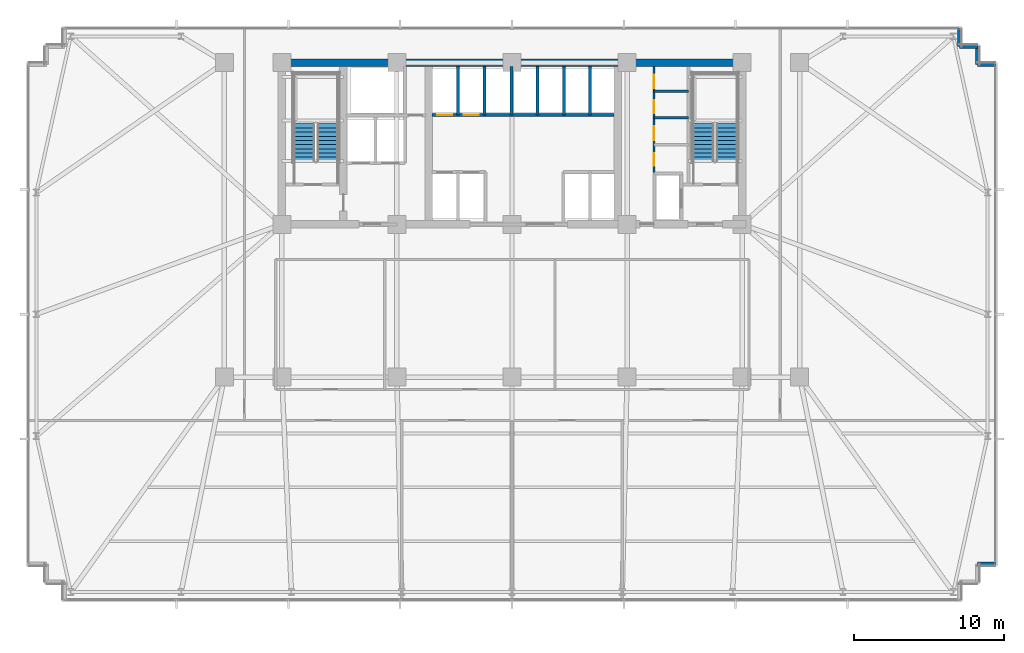
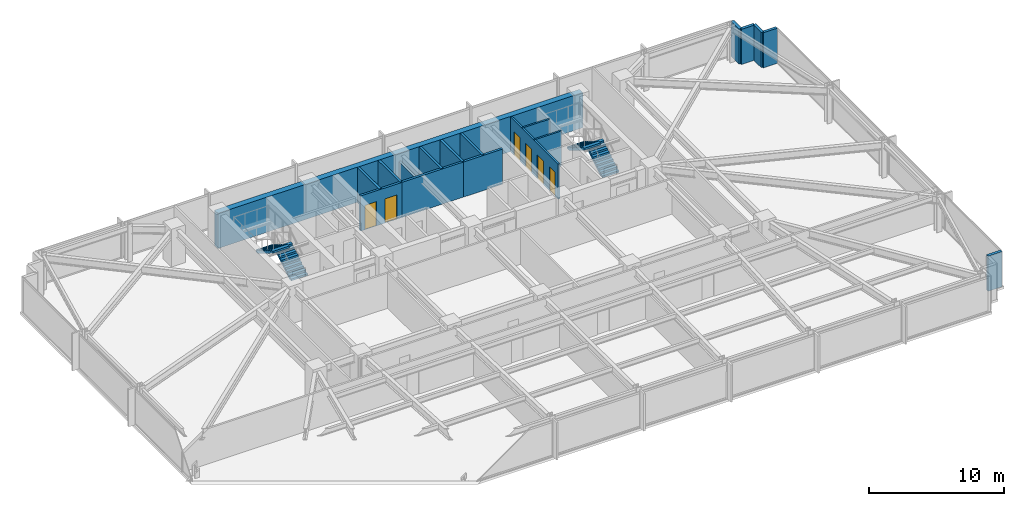
# One storey, part 26 of 32: 18 walls, 6 doors, 4 stair flights, 6 openings, 2 elements without a shape of their own.
"""IFC4 building model written with IfcOpenShell, lengths in metres."""

from ifc_helpers import new_model, si_unit, direction, frame, frame_2d, origin, place, context, subcontext, project, spatial, polyline, rectangle, outline, extrude, material, layer, layer_set, type_object, element, fill, aggregate, save


model = new_model("IFC4")

# Units and contexts
model_context = context("Model", 3, precision=1e-05, world=origin(), true_north=direction((0.0, 1.0)))
body_context = subcontext(model_context, "Body", "Model", "MODEL_VIEW")
ifc_project = project(units=[si_unit("LENGTHUNIT", "METRE"), si_unit("AREAUNIT", "SQUARE_METRE"), si_unit("VOLUMEUNIT", "CUBIC_METRE"), si_unit("PLANEANGLEUNIT", "RADIAN"), si_unit("MASSUNIT", "GRAM", prefix="KILO")], contexts=[model_context])

# Site, building, storey
site_placement = place(None, origin())
site = spatial("IfcSite", under=ifc_project, at=site_placement, CompositionType="ELEMENT")
building_placement = place(site_placement, origin())
building = spatial("IfcBuilding", under=site, at=building_placement, Name="Yelkora Congress Tower", CompositionType="ELEMENT")
storey_placement = place(building_placement, frame((0.0, 0.0, 50.800048828125)))
storey = spatial("IfcBuildingStorey", under=building, at=storey_placement, Name="L12", CompositionType="ELEMENT", Elevation=50.800048828125)

# Walls
ifc_material_1 = material(Name="Concrete C60/75", Category="concrete")
ifc_layer_1 = layer(ifc_material_1, 0.5)
ifc_layer_set_1 = layer_set([ifc_layer_1], Name="Concrete C60/75")
wall_type_1 = type_object("IfcWallType", Name="WALL-CORE-INT-500", PredefinedType="SHEAR", material=ifc_layer_set_1)
wall_1_placement = place(storey_placement, frame((22.7900390625, 46.199951171875, 0.0), z_axis=(0.0, 0.0, 1.0), x_axis=(1.0, 0.0, 0.0)))
element("IfcWall", 1, at=wall_1_placement, inside=storey, type_object=wall_type_1, Name="L12 Rear Core North Shear Wall", PredefinedType="SHEAR", context=body_context, shape_type="SweptSolid", body=[
    extrude(rectangle(XDim=31.219970703125, YDim=0.5, at=frame_2d((15.60986328125, 0.0))), origin(), (0.0, 0.0, 1.0), 3.179931640625),
])
ifc_material_2 = material(Name="Concrete C40/50", Category="concrete")
ifc_layer_2 = layer(ifc_material_2, 0.239990234375)
ifc_layer_set_2 = layer_set([ifc_layer_2], Name="Concrete C40/50")
wall_type_2 = type_object("IfcWallType", Name="WALL-EXT-LIMESTONE-240", PredefinedType="SOLIDWALL", material=ifc_layer_set_2)
for number, where, z_axis, x_axis, name in (
    (2, (68.260009765625, 48.4599609375, 0.0), (0.0, 0.0, 1.0), (0.0, -1.0, 0.0), "L12 Serrated Corner Limestone Pier 11"),
    (3, (68.260009765625, 47.260009765625, 0.0), (0.0, 0.0, 1.0), (1.0, 0.0, 0.0), "L12 Serrated Corner Limestone Pier 12"),
    (4, (69.4599609375, 47.260009765625, 0.0), (0.0, 0.0, 1.0), (0.0, -1.0, 0.0), "L12 Serrated Corner Limestone Pier 13"),
    (5, (69.4599609375, 46.06005859375, 0.0), (0.0, 0.0, 1.0), (1.0, 0.0, 0.0), "L12 Serrated Corner Limestone Pier 14"),
    (6, (70.659912109375, 12.739990234375, 0.0), (0.0, 0.0, 1.0), (-1.0, 0.0, 0.0), "L12 Serrated Corner Limestone Pier 16"),
):
    element("IfcWall", number, at=place(storey_placement, frame(where, z_axis=z_axis, x_axis=x_axis)), inside=storey, type_object=wall_type_2, Name=name, PredefinedType="SOLIDWALL", context=body_context, shape_type="SweptSolid", body=[
        extrude(rectangle(XDim=1.199951171875, YDim=0.239990234375, at=frame_2d((0.60009765625, 0.0))), origin(), (0.0, 0.0, 1.0), 3.179931640625),
    ])
ifc_material_3 = material(Name="Acoustic metal-stud gypsum partition", Category="gypsum")
ifc_layer_3 = layer(ifc_material_3, 0.14990234375)
ifc_layer_set_3 = layer_set([ifc_layer_3], Name="Acoustic metal-stud gypsum partition")
wall_type_3 = type_object("IfcWallType", Name="WALL-INT-150-NR", PredefinedType="PARTITIONING", material=ifc_layer_set_3)
for number, where, z_axis, x_axis, name in (
    (7, (47.8798828125, 42.52001953125, 0.0), (0.0, 0.0, 1.0), (1.0, 0.0, 0.0), "L12 Partition Wall 29"),
    (8, (47.8798828125, 44.280029296875, 0.0), (0.0, 0.0, 1.0), (1.0, 0.0, 0.0), "L12 Partition Wall 30"),
):
    element("IfcWall", number, at=place(storey_placement, frame(where, z_axis=z_axis, x_axis=x_axis)), inside=storey, type_object=wall_type_3, Name=name, PredefinedType="PARTITIONING", context=body_context, shape_type="SweptSolid", body=[
        extrude(rectangle(XDim=2.300048828125, YDim=0.14990234375, at=frame_2d((1.14990234375, 0.0))), origin(), (0.0, 0.0, 1.0), 3.179931640625),
    ])

# Wall, openings, doors
wall_2_placement = place(storey_placement, frame((47.8798828125, 38.85009765625, 0.0), z_axis=(0.0, 0.0, 1.0), x_axis=(0.0, 1.0, 0.0)))
wall_2 = element("IfcWall", 9, at=wall_2_placement, inside=storey, type_object=wall_type_3, Name="L12 Partition Wall 31", PredefinedType="PARTITIONING", context=body_context, shape_type="SweptSolid", body=[
    extrude(rectangle(XDim=7.06982421875, YDim=0.14990234375, at=frame_2d((3.534912109375, 0.0))), origin(), (0.0, 0.0, 1.0), 3.179931640625),
])
opening_1_placement = place(wall_2_placement, frame((0.449951171875, 0.0, 0.0)))
opening_1 = element("IfcOpeningElement", 10, at=opening_1_placement, cuts=wall_2, Name="Opening DR-085N", PredefinedType="OPENING", context=body_context, shape_type="SweptSolid", body=[
    extrude(rectangle(XDim=0.85009765625, YDim=2.14990234375, at=frame_2d((0.425048828125, 1.074951171875))), frame((0.0, 0.0849609375, 0.0), z_axis=(0.0, -1.0, 0.0), x_axis=(1.0, 0.0, 0.0)), (0.0, 0.0, 1.0), 0.169921875),
])
opening_2_placement = place(wall_2_placement, frame((2.14990234375, 0.0, 0.0)))
opening_2 = element("IfcOpeningElement", 11, at=opening_2_placement, cuts=wall_2, Name="Opening DR-095N", PredefinedType="OPENING", context=body_context, shape_type="SweptSolid", body=[
    extrude(rectangle(XDim=0.949951171875, YDim=2.14990234375, at=frame_2d((0.47509765625, 1.074951171875))), frame((0.0, 0.0849609375, 0.0), z_axis=(0.0, -1.0, 0.0), x_axis=(1.0, 0.0, 0.0)), (0.0, 0.0, 1.0), 0.169921875),
])
opening_3_placement = place(wall_2_placement, frame((3.949951171875, 0.0, 0.0)))
opening_3 = element("IfcOpeningElement", 12, at=opening_3_placement, cuts=wall_2, Name="Opening DR-090N", PredefinedType="OPENING", context=body_context, shape_type="SweptSolid", body=[
    extrude(rectangle(XDim=0.89990234375, YDim=2.14990234375, at=frame_2d((0.449951171875, 1.074951171875))), frame((0.0, 0.0849609375, 0.0), z_axis=(0.0, -1.0, 0.0), x_axis=(1.0, 0.0, 0.0)), (0.0, 0.0, 1.0), 0.169921875),
])
opening_4_placement = place(wall_2_placement, frame((5.64990234375, 0.0, 0.0)))
opening_4 = element("IfcOpeningElement", 13, at=opening_4_placement, cuts=wall_2, Name="Opening DR-090N", PredefinedType="OPENING", context=body_context, shape_type="SweptSolid", body=[
    extrude(rectangle(XDim=0.89990234375, YDim=2.14990234375, at=frame_2d((0.449951171875, 1.074951171875))), frame((0.0, 0.0849609375, 0.0), z_axis=(0.0, -1.0, 0.0), x_axis=(1.0, 0.0, 0.0)), (0.0, 0.0, 1.0), 0.169921875),
])
ifc_material_4 = material(Name="Laminate service store door leaf", Category="wood")
door_type_1 = type_object("IfcDoorType", Name="DOOR-INT-850", OperationType="NOTDEFINED", PredefinedType="DOOR", material=ifc_material_4)
door_1_placement = place(opening_1_placement, origin())
door_1 = element("IfcDoor", 14, at=door_1_placement, inside=storey, type_object=door_type_1, Name="L12 Janitor Room Door", OperationType="SINGLE_SWING_RIGHT", OverallHeight=2.14990234375, OverallWidth=0.85009765625, PredefinedType="DOOR", context=body_context, shape_type="SweptSolid", body=[
    extrude(rectangle(XDim=0.85009765625, YDim=2.14990234375, at=frame_2d((0.425048828125, 1.074951171875))), frame((0.0, 0.02490234375, 0.0), z_axis=(0.0, -1.0, 0.0), x_axis=(1.0, 0.0, 0.0)), (0.0, 0.0, 1.0), 0.050048828125),
])
fill(opening_1, door_1)
ifc_material_5 = material(Name="Moisture-resistant laminate door leaf", Category="wood")
door_type_2 = type_object("IfcDoorType", Name="DOOR-INT-900", OperationType="NOTDEFINED", PredefinedType="DOOR", material=ifc_material_5)
door_2_placement = place(opening_3_placement, origin())
door_2 = element("IfcDoor", 15, at=door_2_placement, inside=storey, type_object=door_type_2, Name="L12 Male WC Door", OperationType="SINGLE_SWING_RIGHT", OverallHeight=2.14990234375, OverallWidth=0.89990234375, PredefinedType="DOOR", context=body_context, shape_type="SweptSolid", body=[
    extrude(rectangle(XDim=0.89990234375, YDim=2.14990234375, at=frame_2d((0.449951171875, 1.074951171875))), frame((0.0, 0.02490234375, 0.0), z_axis=(0.0, -1.0, 0.0), x_axis=(1.0, 0.0, 0.0)), (0.0, 0.0, 1.0), 0.050048828125),
])
fill(opening_3, door_2)
door_3_placement = place(opening_4_placement, origin())
door_3 = element("IfcDoor", 16, at=door_3_placement, inside=storey, type_object=door_type_2, Name="L12 Female WC Door", OperationType="SINGLE_SWING_LEFT", OverallHeight=2.14990234375, OverallWidth=0.89990234375, PredefinedType="DOOR", context=body_context, shape_type="SweptSolid", body=[
    extrude(rectangle(XDim=0.89990234375, YDim=2.14990234375, at=frame_2d((0.449951171875, 1.074951171875))), frame((0.0, 0.02490234375, 0.0), z_axis=(0.0, -1.0, 0.0), x_axis=(1.0, 0.0, 0.0)), (0.0, 0.0, 1.0), 0.050048828125),
])
fill(opening_4, door_3)
ifc_material_6 = material(Name="Acoustic laminated timber office door", Category="wood")
door_type_3 = type_object("IfcDoorType", Name="DOOR-INT-950", OperationType="NOTDEFINED", PredefinedType="DOOR", material=ifc_material_6)
door_4_placement = place(opening_2_placement, origin())
door_4 = element("IfcDoor", 17, at=door_4_placement, inside=storey, type_object=door_type_3, Name="L12 Accessible WC Door", OperationType="SINGLE_SWING_LEFT", OverallHeight=2.14990234375, OverallWidth=0.949951171875, PredefinedType="DOOR", context=body_context, shape_type="SweptSolid", body=[
    extrude(rectangle(XDim=0.949951171875, YDim=2.14990234375, at=frame_2d((0.47509765625, 1.074951171875))), frame((0.0, 0.02490234375, 0.0), z_axis=(0.0, -1.0, 0.0), x_axis=(1.0, 0.0, 0.0)), (0.0, 0.0, 1.0), 0.050048828125),
])
fill(opening_2, door_4)

# Walls
ifc_material_7 = material(Name="Autoclaved aerated concrete blockwork", Category="masonry")
ifc_layer_4 = layer(ifc_material_7, 0.199951171875)
ifc_layer_set_4 = layer_set([ifc_layer_4], Name="Autoclaved aerated concrete blockwork")
wall_type_4 = type_object("IfcWallType", Name="WALL-INT-200-R120", PredefinedType="PARTITIONING", material=ifc_layer_set_4)
wall_3_placement = place(storey_placement, frame((36.60009765625, 42.699951171875, 0.0), z_axis=(0.0, 0.0, 1.0), x_axis=(1.0, 0.0, 0.0)))
element("IfcWall", 18, at=wall_3_placement, inside=storey, type_object=wall_type_4, Name="L12 Partition Wall 8", PredefinedType="PARTITIONING", context=body_context, shape_type="SweptSolid", body=[
    extrude(rectangle(XDim=5.25, YDim=0.199951171875, at=frame_2d((2.625, 0.0))), origin(), (0.0, 0.0, 1.0), 3.179931640625),
])
wall_4_placement = place(storey_placement, frame((38.35009765625, 42.699951171875, 0.0), z_axis=(0.0, 0.0, 1.0), x_axis=(0.0, 1.0, 0.0)))
element("IfcWall", 19, at=wall_4_placement, inside=storey, type_object=wall_type_4, Name="L12 Partition Wall 9", PredefinedType="PARTITIONING", context=body_context, shape_type="SweptSolid", body=[
    extrude(rectangle(XDim=3.219970703125, YDim=0.199951171875, at=frame_2d((1.60986328125, 0.0))), origin(), (0.0, 0.0, 1.0), 2.474853515625),
])
wall_5_placement = place(storey_placement, frame((40.10009765625, 42.699951171875, 0.0), z_axis=(0.0, 0.0, 1.0), x_axis=(0.0, 1.0, 0.0)))
element("IfcWall", 20, at=wall_5_placement, inside=storey, type_object=wall_type_4, Name="L12 Partition Wall 10", PredefinedType="PARTITIONING", context=body_context, shape_type="SweptSolid", body=[
    extrude(rectangle(XDim=3.219970703125, YDim=0.199951171875, at=frame_2d((1.60986328125, 0.0))), origin(), (0.0, 0.0, 1.0), 3.179931640625),
])

# Wall, openings, doors
wall_6_placement = place(storey_placement, frame((33.050048828125, 42.699951171875, 0.0), z_axis=(0.0, 0.0, 1.0), x_axis=(1.0, 0.0, 0.0)))
wall_6 = element("IfcWall", 21, at=wall_6_placement, inside=storey, type_object=wall_type_4, Name="L12 Partition Wall 12", PredefinedType="PARTITIONING", context=body_context, shape_type="SweptSolid", body=[
    extrude(rectangle(XDim=3.570068359375, YDim=0.199951171875, at=frame_2d((1.78515625, 0.0))), origin(), (0.0, 0.0, 1.0), 3.179931640625),
])
opening_5_placement = place(wall_6_placement, frame((0.375, 0.0, 0.0)))
opening_5 = element("IfcOpeningElement", 22, at=opening_5_placement, cuts=wall_6, Name="Opening LD-PS10", PredefinedType="OPENING", context=body_context, shape_type="SweptSolid", body=[
    extrude(rectangle(XDim=1.0, YDim=2.199951171875, at=frame_2d((0.5, 1.10009765625))), frame((0.0, 0.10986328125, 0.0), z_axis=(0.0, -1.0, 0.0), x_axis=(1.0, 0.0, 0.0)), (0.0, 0.0, 1.0), 0.219970703125),
])
opening_6_placement = place(wall_6_placement, frame((2.125, 0.0, 0.0)))
opening_6 = element("IfcOpeningElement", 23, at=opening_6_placement, cuts=wall_6, Name="Opening LD-PS10", PredefinedType="OPENING", context=body_context, shape_type="SweptSolid", body=[
    extrude(rectangle(XDim=1.0, YDim=2.199951171875, at=frame_2d((0.5, 1.10009765625))), frame((0.0, 0.10986328125, 0.0), z_axis=(0.0, -1.0, 0.0), x_axis=(1.0, 0.0, 0.0)), (0.0, 0.0, 1.0), 0.219970703125),
])
ifc_material_8 = material(Name="Champagne stainless steel landing door", Category="steel")
door_type_4 = type_object("IfcDoorType", Name="DOOR-LIFT-PAS-1000", OperationType="DOUBLE_DOOR_SLIDING", PredefinedType="DOOR", material=ifc_material_8)
door_5_placement = place(opening_5_placement, origin())
door_5 = element("IfcDoor", 24, at=door_5_placement, inside=storey, type_object=door_type_4, Name="Lift Landing Door LF-P3 L12", OperationType="DOUBLE_DOOR_SLIDING", OverallHeight=2.199951171875, OverallWidth=1.0, PredefinedType="DOOR", context=body_context, shape_type="SweptSolid", body=[
    extrude(rectangle(XDim=1.0, YDim=2.199951171875, at=frame_2d((0.5, 1.10009765625))), frame((0.0, 0.02490234375, 0.0), z_axis=(0.0, -1.0, 0.0), x_axis=(1.0, 0.0, 0.0)), (0.0, 0.0, 1.0), 0.050048828125),
])
fill(opening_5, door_5)
door_6_placement = place(opening_6_placement, origin())
door_6 = element("IfcDoor", 25, at=door_6_placement, inside=storey, type_object=door_type_4, Name="Lift Landing Door LF-P4 L12", OperationType="DOUBLE_DOOR_SLIDING", OverallHeight=2.199951171875, OverallWidth=1.0, PredefinedType="DOOR", context=body_context, shape_type="SweptSolid", body=[
    extrude(rectangle(XDim=1.0, YDim=2.199951171875, at=frame_2d((0.5, 1.10009765625))), frame((0.0, 0.02490234375, 0.0), z_axis=(0.0, -1.0, 0.0), x_axis=(1.0, 0.0, 0.0)), (0.0, 0.0, 1.0), 0.050048828125),
])
fill(opening_6, door_6)

# Walls
for number, where, z_axis, x_axis, name in (
    (26, (34.800048828125, 42.699951171875, 0.0), (0.0, 0.0, 1.0), (0.0, 1.0, 0.0), "L12 Partition Wall 14"),
    (27, (36.580078125, 42.699951171875, 0.0), (0.0, 0.0, 1.0), (0.0, 1.0, 0.0), "L12 Partition Wall 16"),
):
    element("IfcWall", number, at=place(storey_placement, frame(where, z_axis=z_axis, x_axis=x_axis)), inside=storey, type_object=wall_type_4, Name=name, PredefinedType="PARTITIONING", context=body_context, shape_type="SweptSolid", body=[
        extrude(rectangle(XDim=3.219970703125, YDim=0.199951171875, at=frame_2d((1.60986328125, 0.0))), origin(), (0.0, 0.0, 1.0), 3.179931640625),
    ])
wall_7_placement = place(storey_placement, frame((41.85009765625, 42.699951171875, 0.0), z_axis=(0.0, 0.0, 1.0), x_axis=(1.0, 0.0, 0.0)))
element("IfcWall", 28, at=wall_7_placement, inside=storey, type_object=wall_type_4, Name="L12 Partition Wall 18", PredefinedType="PARTITIONING", context=body_context, shape_type="SweptSolid", body=[
    extrude(rectangle(XDim=3.369873046875, YDim=0.199951171875, at=frame_2d((1.68505859375, 0.0))), origin(), (0.0, 0.0, 1.0), 3.179931640625),
])
for number, where, z_axis, x_axis, name in (
    (29, (43.60009765625, 42.699951171875, 0.0), (0.0, 0.0, 1.0), (0.0, 1.0, 0.0), "L12 Partition Wall 20"),
    (30, (41.8798828125, 42.699951171875, 0.0), (0.0, 0.0, 1.0), (0.0, 1.0, 0.0), "L12 Partition Wall 22"),
):
    element("IfcWall", number, at=place(storey_placement, frame(where, z_axis=z_axis, x_axis=x_axis)), inside=storey, type_object=wall_type_4, Name=name, PredefinedType="PARTITIONING", context=body_context, shape_type="SweptSolid", body=[
        extrude(rectangle(XDim=3.219970703125, YDim=0.199951171875, at=frame_2d((1.60986328125, 0.0))), origin(), (0.0, 0.0, 1.0), 3.179931640625),
    ])

# Stair, stair flights
stair_type = type_object("IfcStairType", Name="STAIR-HT-1420-R20-170", PredefinedType="HALF_TURN_STAIR", material=ifc_material_2)
stair_1_placement = place(storey_placement, origin())
stair_1 = element("IfcStair", 31, at=stair_1_placement, inside=storey, type_object=stair_type, Name="West Core Protected Exit Stair ST-01 (L12)", PredefinedType="HALF_TURN_STAIR")
stair_flight_type = type_object("IfcStairFlightType", Name="FLIGHT-1420-N10-R170-G280", PredefinedType="STRAIGHT", material=ifc_material_2)
stair_flight_1_placement = place(storey_placement, frame((26.110107421875, 39.60009765625, 0.0), z_axis=(0.0, 0.0, 1.0), x_axis=(0.0, 1.0, 0.0)))
stair_flight_1 = element("IfcStairFlight", 32, at=stair_flight_1_placement, type_object=stair_flight_type, Name="ST-01 L12 Flight 1", NumberOfRisers=10, NumberOfTreads=9, PredefinedType="STRAIGHT", RiserHeight=0.17, TreadLength=0.28, context=body_context, shape_type="SweptSolid", body=[
    extrude(outline(polyline([(0.0, 0.0), (0.0, 0.169921875), (0.280029296875, 0.169921875), (0.280029296875, 0.340087890625), (0.56005859375, 0.340087890625), (0.56005859375, 0.510009765625), (0.840087890625, 0.510009765625), (0.840087890625, 0.679931640625), (1.1201171875, 0.679931640625), (1.1201171875, 0.85009765625), (1.39990234375, 0.85009765625), (1.39990234375, 1.02001953125), (1.679931640625, 1.02001953125), (1.679931640625, 1.18994140625), (1.9599609375, 1.18994140625), (1.9599609375, 1.360107421875), (2.239990234375, 1.360107421875), (2.239990234375, 1.530029296875), (2.52001953125, 1.530029296875), (2.52001953125, 1.699951171875), (2.52001953125, 1.343017578125), (0.30810546875, 0.0), (0.0, 0.0)])), frame((0.0, 0.7099609375, 0.0), z_axis=(0.0, -1.0, 0.0), x_axis=(1.0, 0.0, 0.0)), (0.0, 0.0, 1.0), 1.419921875),
])
stair_flight_2_placement = place(storey_placement, frame((24.530029296875, 42.1201171875, 1.699951171875), z_axis=(0.0, 0.0, 1.0), x_axis=(0.0, -1.0, 0.0)))
stair_flight_2 = element("IfcStairFlight", 33, at=stair_flight_2_placement, type_object=stair_flight_type, Name="ST-01 L12 Flight 2", NumberOfRisers=10, NumberOfTreads=9, PredefinedType="STRAIGHT", RiserHeight=0.17, TreadLength=0.28, context=body_context, shape_type="SweptSolid", body=[
    extrude(outline(polyline([(0.0, 0.0), (0.0, 0.169921875), (0.280029296875, 0.169921875), (0.280029296875, 0.340087890625), (0.56005859375, 0.340087890625), (0.56005859375, 0.510009765625), (0.840087890625, 0.510009765625), (0.840087890625, 0.679931640625), (1.1201171875, 0.679931640625), (1.1201171875, 0.85009765625), (1.39990234375, 0.85009765625), (1.39990234375, 1.02001953125), (1.679931640625, 1.02001953125), (1.679931640625, 1.18994140625), (1.9599609375, 1.18994140625), (1.9599609375, 1.360107421875), (2.239990234375, 1.360107421875), (2.239990234375, 1.530029296875), (2.52001953125, 1.530029296875), (2.52001953125, 1.699951171875), (2.52001953125, 1.343017578125), (0.30810546875, 0.0), (0.0, 0.0)])), frame((0.0, 0.7099609375, 0.0), z_axis=(0.0, -1.0, 0.0), x_axis=(1.0, 0.0, 0.0)), (0.0, 0.0, 1.0), 1.419921875),
])
aggregate(stair_1, [stair_flight_1, stair_flight_2])

stair_2_placement = place(storey_placement, origin())
stair_2 = element("IfcStair", 34, at=stair_2_placement, inside=storey, type_object=stair_type, Name="East Core Protected Exit Stair ST-02 (L12)", PredefinedType="HALF_TURN_STAIR")
stair_flight_3_placement = place(storey_placement, frame((52.75, 39.60009765625, 0.0), z_axis=(0.0, 0.0, 1.0), x_axis=(0.0, 1.0, 0.0)))
stair_flight_3 = element("IfcStairFlight", 35, at=stair_flight_3_placement, type_object=stair_flight_type, Name="ST-02 L12 Flight 1", NumberOfRisers=10, NumberOfTreads=9, PredefinedType="STRAIGHT", RiserHeight=0.17, TreadLength=0.28, context=body_context, shape_type="SweptSolid", body=[
    extrude(outline(polyline([(0.0, 0.0), (0.0, 0.169921875), (0.280029296875, 0.169921875), (0.280029296875, 0.340087890625), (0.56005859375, 0.340087890625), (0.56005859375, 0.510009765625), (0.840087890625, 0.510009765625), (0.840087890625, 0.679931640625), (1.1201171875, 0.679931640625), (1.1201171875, 0.85009765625), (1.39990234375, 0.85009765625), (1.39990234375, 1.02001953125), (1.679931640625, 1.02001953125), (1.679931640625, 1.18994140625), (1.9599609375, 1.18994140625), (1.9599609375, 1.360107421875), (2.239990234375, 1.360107421875), (2.239990234375, 1.530029296875), (2.52001953125, 1.530029296875), (2.52001953125, 1.699951171875), (2.52001953125, 1.343017578125), (0.30810546875, 0.0), (0.0, 0.0)])), frame((0.0, 0.7099609375, 0.0), z_axis=(0.0, -1.0, 0.0), x_axis=(1.0, 0.0, 0.0)), (0.0, 0.0, 1.0), 1.419921875),
])
stair_flight_4_placement = place(storey_placement, frame((51.169921875, 42.1201171875, 1.699951171875), z_axis=(0.0, 0.0, 1.0), x_axis=(0.0, -1.0, 0.0)))
stair_flight_4 = element("IfcStairFlight", 36, at=stair_flight_4_placement, type_object=stair_flight_type, Name="ST-02 L12 Flight 2", NumberOfRisers=10, NumberOfTreads=9, PredefinedType="STRAIGHT", RiserHeight=0.17, TreadLength=0.28, context=body_context, shape_type="SweptSolid", body=[
    extrude(outline(polyline([(0.0, 0.0), (0.0, 0.169921875), (0.280029296875, 0.169921875), (0.280029296875, 0.340087890625), (0.56005859375, 0.340087890625), (0.56005859375, 0.510009765625), (0.840087890625, 0.510009765625), (0.840087890625, 0.679931640625), (1.1201171875, 0.679931640625), (1.1201171875, 0.85009765625), (1.39990234375, 0.85009765625), (1.39990234375, 1.02001953125), (1.679931640625, 1.02001953125), (1.679931640625, 1.18994140625), (1.9599609375, 1.18994140625), (1.9599609375, 1.360107421875), (2.239990234375, 1.360107421875), (2.239990234375, 1.530029296875), (2.52001953125, 1.530029296875), (2.52001953125, 1.699951171875), (2.52001953125, 1.343017578125), (0.30810546875, 0.0), (0.0, 0.0)])), frame((0.0, 0.7099609375, 0.0), z_axis=(0.0, -1.0, 0.0), x_axis=(1.0, 0.0, 0.0)), (0.0, 0.0, 1.0), 1.419921875),
])
aggregate(stair_2, [stair_flight_3, stair_flight_4])

save(model, "model.ifc")
